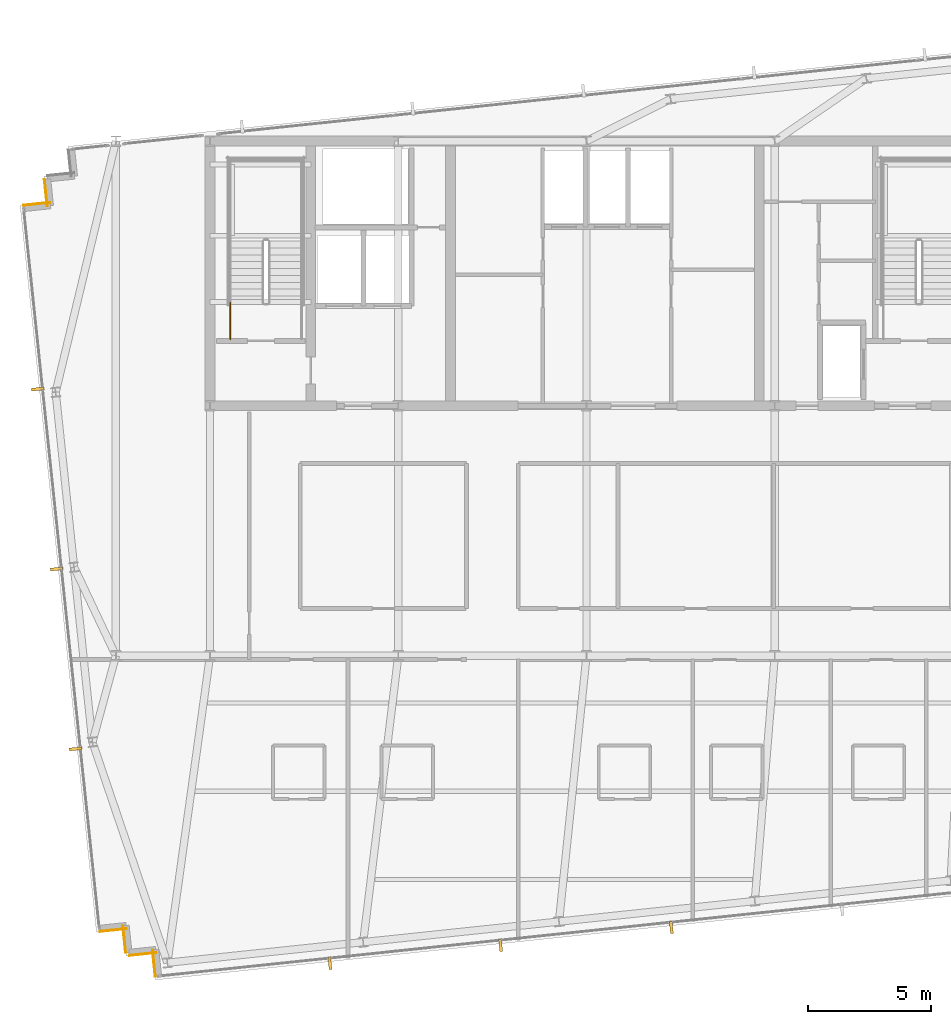
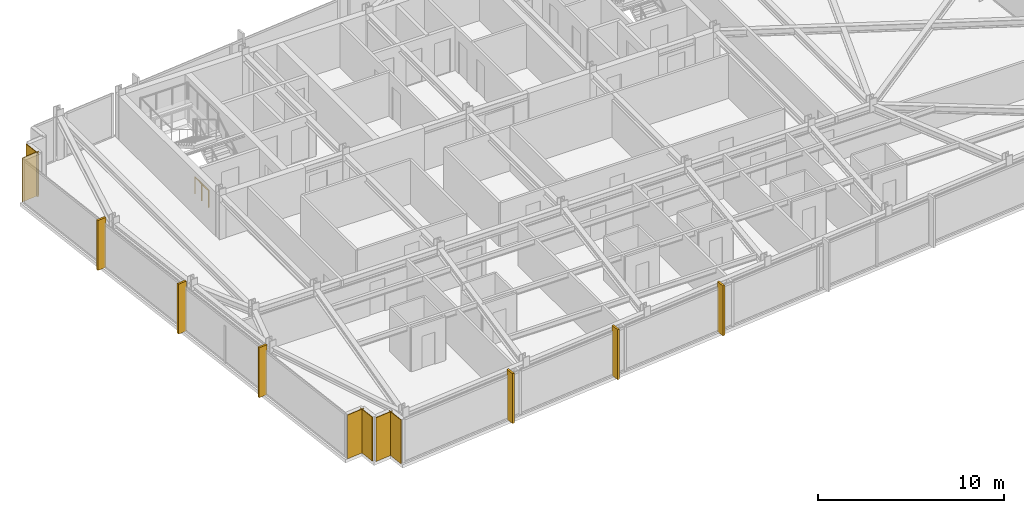
# One storey, part 30 of 33: 6 coverings, 6 shading devices, 1 railing.
"""IFC4 building model written with IfcOpenShell, lengths in metres."""

import ifcopenshell
import ifcopenshell.guid

model = None  # the IFC model being written
_history = None  # IfcOwnerHistory: only IFC2X3 demands one
_inside = {}  # id of a spatial element -> (the spatial element, [elements in it])
_under = {}  # id of a project, library or spatial element -> (it, [spatial elements below it])
_declared = {}  # id of a project -> (the project, [libraries it declares])
_typed = {}  # id of a type object -> (the type object, [elements of that type])
_made_of = {}  # id of a material, layer set ... -> (it, [elements and type objects made of it])


def new_model(schema):
    """Start an empty IFC model of exactly this schema.

    Asked for "IFC4X3", IfcOpenShell would pick the latest addendum, in which some entities
    have other attributes; the version numbers below select the first issue.
    IFC2X3 requires an IfcOwnerHistory on every rooted entity: one is made here for all.
    """
    global model, _history
    if schema == "IFC4X3":
        model = ifcopenshell.file(schema_version=(4, 3, 0, 0))
    else:
        model = ifcopenshell.file(schema=schema)
    _inside.clear()
    _under.clear()
    _declared.clear()
    _typed.clear()
    _made_of.clear()
    _history = None
    if model.schema == "IFC2X3":
        org = make("IfcOrganization", Name="unknown")
        user = make(
            "IfcPersonAndOrganization",
            ThePerson=make("IfcPerson", FamilyName="unknown"),
            TheOrganization=org,
        )
        app = make(
            "IfcApplication",
            ApplicationDeveloper=org,
            Version="unknown",
            ApplicationFullName="unknown",
            ApplicationIdentifier="unknown",
        )
        _history = make(
            "IfcOwnerHistory",
            OwningUser=user,
            OwningApplication=app,
            ChangeAction="ADDED",
            CreationDate=0,
        )
    return model


def make(cls, **values):
    """One entity of the class cls with the attributes given. An attribute that is None is left unset."""
    return model.create_entity(
        cls, **{name: value for name, value in values.items() if value is not None}
    )


def rooted(cls, **values):
    """An entity with a GlobalId (a new one), such as an element, a storey or a relation."""
    return make(cls, GlobalId=ifcopenshell.guid.new(), OwnerHistory=_history, **values)


def si_unit(unit_type, name, prefix=None):
    """IfcSIUnit, for example si_unit("LENGTHUNIT", "METRE", prefix="MILLI")."""
    return make("IfcSIUnit", UnitType=unit_type, Prefix=prefix, Name=name)


def assignment(units):
    """IfcUnitAssignment: the units of a project."""
    return None if units is None else make("IfcUnitAssignment", Units=units)


def point(xyz):
    """IfcCartesianPoint."""
    return None if xyz is None else make("IfcCartesianPoint", Coordinates=xyz)


def direction(xyz):
    """IfcDirection."""
    return None if xyz is None else make("IfcDirection", DirectionRatios=xyz)


def frame(location, z_axis=None, x_axis=None):
    """IfcAxis2Placement3D, a coordinate frame: its origin and axes. An axis left out is left unset."""
    return make(
        "IfcAxis2Placement3D",
        Location=point(location),
        Axis=direction(z_axis),
        RefDirection=direction(x_axis),
    )


def frame_2d(location, x_axis=None):
    """IfcAxis2Placement2D, a coordinate frame in the plane: its origin and x axis."""
    return make(
        "IfcAxis2Placement2D", Location=point(location), RefDirection=direction(x_axis)
    )


def origin():
    """The frame at (0, 0, 0) with its axes left unset."""
    return frame((0.0, 0.0, 0.0))


def origin_2d():
    """The frame at (0, 0) in the plane with its x axis left unset."""
    return frame_2d((0.0, 0.0))


def place(relative_to, where):
    """IfcLocalPlacement: puts the frame where relative to a parent placement (None: the world)."""
    return make(
        "IfcLocalPlacement", PlacementRelTo=relative_to, RelativePlacement=where
    )


def context(
    kind, dimensions, precision=None, world=None, true_north=None, identifier=None
):
    """IfcGeometricRepresentationContext, for example the 3D "Model" context."""
    return make(
        "IfcGeometricRepresentationContext",
        ContextIdentifier=identifier,
        ContextType=kind,
        CoordinateSpaceDimension=dimensions,
        Precision=precision,
        WorldCoordinateSystem=world,
        TrueNorth=true_north,
    )


def subcontext(parent, identifier, kind, view, scale=None):
    """IfcGeometricRepresentationSubContext, for example "Body" below "Model"."""
    return make(
        "IfcGeometricRepresentationSubContext",
        ContextIdentifier=identifier,
        ContextType=kind,
        ParentContext=parent,
        TargetScale=scale,
        TargetView=view,
    )


def project(units=None, contexts=None):
    """IfcProject with its units and contexts."""
    return rooted(
        "IfcProject",
        Name="project",
        RepresentationContexts=contexts,
        UnitsInContext=assignment(units),
    )


def spatial(cls, under=None, at=None, **own):
    """A site, building, storey or space (cls), placed at a placement, below another one or the project."""
    s = rooted(cls, ObjectPlacement=at, **own)
    if under is not None:
        _under.setdefault(under.id(), (under, []))[1].append(s)
    return s


def profile(cls, at=None, kind="AREA", **sizes):
    """A parametric profile (cls). Its sizes go by their IFC names, for example OverallWidth=200.0."""
    return make(cls, ProfileType=kind, Position=at, **sizes)


def rectangle(**sizes):
    """IfcRectangleProfileDef."""
    return profile("IfcRectangleProfileDef", **sizes)


def circle(**sizes):
    """IfcCircleProfileDef."""
    return profile("IfcCircleProfileDef", **sizes)


def extrude(swept, where, along, depth):
    """IfcExtrudedAreaSolid: the profile swept, set in the frame where, extruded along a direction by depth."""
    return make(
        "IfcExtrudedAreaSolid",
        SweptArea=swept,
        Position=where,
        ExtrudedDirection=direction(along),
        Depth=depth,
    )


def shape(context_of_items, identifier, shape_type, items):
    """IfcShapeRepresentation: the items that make up one representation, for example the "Body"."""
    return make(
        "IfcShapeRepresentation",
        ContextOfItems=context_of_items,
        RepresentationIdentifier=identifier,
        RepresentationType=shape_type,
        Items=items,
    )


def material(Name=None, Category=None):
    """IfcMaterial."""
    return make("IfcMaterial", Name=Name, Category=Category)


def layer(
    of_material, thickness, ventilated=None, Name=None, Category=None, Priority=None
):
    """IfcMaterialLayer: one layer of a wall or slab, of a material (None: an air gap)."""
    return make(
        "IfcMaterialLayer",
        Material=of_material,
        LayerThickness=thickness,
        IsVentilated=ventilated,
        Name=Name,
        Category=Category,
        Priority=Priority,
    )


def layer_set(layers, Name=None):
    """IfcMaterialLayerSet."""
    return make("IfcMaterialLayerSet", MaterialLayers=layers, LayerSetName=Name)


def made_of(thing, what):
    """Note that an element or type object is made of a material, layer set ...; save() writes the relation."""
    if what is not None:
        _made_of.setdefault(what.id(), (what, []))[1].append(thing)
    return thing


def type_object(cls, material=None, **own):
    """A type object (cls), such as IfcWallType, which elements share."""
    return made_of(rooted(cls, **own), material)


def element(
    cls,
    number,
    at=None,
    inside=None,
    cuts=None,
    type_object=None,
    material=None,
    context=None,
    identifier="Body",
    shape_type=None,
    held_by="IfcProductDefinitionShape",
    body=None,
    shapes=None,
    **own,
):
    """One element of the class cls, such as IfcWall. Its Tag is "e" and its number.

    at: its placement. inside: the storey or other place that contains it. cuts: it is an
    opening in that element (IfcRelVoidsElement). A single representation is given by context,
    identifier, shape_type and body (its items); several are given by shapes. held_by: the class
    of the entity that holds the representations. save() writes the other relations.
    """
    e = rooted(cls, Tag="e%d" % number, ObjectPlacement=at, **own)
    if body is not None:
        shapes = [shape(context, identifier, shape_type, body)]
    if shapes is not None:
        e.Representation = make(held_by, Representations=shapes)
    if inside is not None:
        _inside.setdefault(inside.id(), (inside, []))[1].append(e)
    if cuts is not None:
        rooted(
            "IfcRelVoidsElement", RelatingBuildingElement=cuts, RelatedOpeningElement=e
        )
    if type_object is not None:
        _typed.setdefault(type_object.id(), (type_object, []))[1].append(e)
    return made_of(e, material)


def aggregate(whole, parts):
    """IfcRelAggregates: a whole, such as a stair, and the parts it consists of."""
    return rooted("IfcRelAggregates", RelatingObject=whole, RelatedObjects=parts)


def save(model, path):
    """Write the relations noted so far, then the file.

    IfcRelAggregates (storeys below a building ...), IfcRelContainedInSpatialStructure (elements
    in a storey), IfcRelDefinesByType, IfcRelAssociatesMaterial and IfcRelDeclares: one each for
    every whole, place, type object, material and project.
    """
    for whole, parts in _under.values():
        aggregate(whole, parts)
    for where, things in _inside.values():
        rooted(
            "IfcRelContainedInSpatialStructure",
            RelatedElements=things,
            RelatingStructure=where,
        )
    for kind, things in _typed.values():
        rooted("IfcRelDefinesByType", RelatedObjects=things, RelatingType=kind)
    for what, things in _made_of.values():
        rooted("IfcRelAssociatesMaterial", RelatedObjects=things, RelatingMaterial=what)
    for by, libraries in _declared.values():
        rooted("IfcRelDeclares", RelatingContext=by, RelatedDefinitions=libraries)
    model.write(path)


model = new_model("IFC4")

# Units and contexts
model_context = context("Model", 3, precision=1e-05, world=origin(), true_north=direction((0.0, 1.0)))
body_context = subcontext(model_context, "Body", "Model", "MODEL_VIEW")
ifc_project = project(units=[si_unit("LENGTHUNIT", "METRE"), si_unit("AREAUNIT", "SQUARE_METRE"), si_unit("VOLUMEUNIT", "CUBIC_METRE"), si_unit("PLANEANGLEUNIT", "RADIAN"), si_unit("MASSUNIT", "GRAM", prefix="KILO")], contexts=[model_context])

# Site, building, storey
site_placement = place(None, origin())
site = spatial("IfcSite", under=ifc_project, at=site_placement, CompositionType="ELEMENT")
building_placement = place(site_placement, origin())
building = spatial("IfcBuilding", under=site, at=building_placement, Name="Yelkora Congress Tower", CompositionType="ELEMENT")
storey_placement = place(building_placement, frame((0.0, 0.0, 244.10009765625)))
storey = spatial("IfcBuildingStorey", under=building, at=storey_placement, Name="L68", CompositionType="ELEMENT", Elevation=244.10009765625)

# Coverings
ifc_material_1 = material(Name="Anatolian bush-hammered limestone", Category="masonry")
ifc_layer_1 = layer(ifc_material_1, 0.0400390625)
ifc_layer_set_1 = layer_set([ifc_layer_1], Name="Anatolian bush-hammered limestone")
covering_type = type_object("IfcCoveringType", Name="COV-CLAD-SPANDREL-40", PredefinedType="CLADDING", material=ifc_layer_set_1)
covering_1_placement = place(storey_placement, frame((20.810302734375, 12.114501953125, 0.0), z_axis=(0.0, 0.0, 1.0), x_axis=(-0.104557671117, 0.994518825066, 0.0)))
element("IfcCovering", 1, at=covering_1_placement, inside=storey, type_object=covering_type, Name="L68 Anatolian Limestone Cladding EW-L68-SR01", PredefinedType="CLADDING", context=body_context, shape_type="SweptSolid", body=[
    extrude(rectangle(XDim=1.099853515625, YDim=0.0400390625, at=frame_2d((0.5498046875, 0.0))), origin(), (0.0, 0.0, 1.0), 2.8798828125),
])
for number, where, z_axis, x_axis, name in (
    (2, (20.84375, 13.088134765625, 0.0), (0.0, 0.0, 1.0), (-0.994521251134, -0.104534592565, 0.0), "L68 Anatolian Limestone Cladding EW-L68-SR02"),
    (3, (19.601318359375, 13.09326171875, 0.0), (0.0, 0.0, 1.0), (-0.104534592565, 0.994521251134, 0.0), "L68 Anatolian Limestone Cladding EW-L68-SR03"),
    (4, (19.634765625, 14.067138671875, 0.0), (0.0, 0.0, 1.0), (-0.994521251134, -0.104534592565, 0.0), "L68 Anatolian Limestone Cladding EW-L68-SR04"),
):
    element("IfcCovering", number, at=place(storey_placement, frame(where, z_axis=z_axis, x_axis=x_axis)), inside=storey, type_object=covering_type, Name=name, PredefinedType="CLADDING", context=body_context, shape_type="SweptSolid", body=[
        extrude(rectangle(XDim=1.10009765625, YDim=0.0400390625, at=frame_2d((0.550048828125, 0.0))), origin(), (0.0, 0.0, 1.0), 2.8798828125),
    ])
covering_2_placement = place(storey_placement, frame((15.427001953125, 43.5791015625, 0.0), z_axis=(0.0, 0.0, 1.0), x_axis=(0.994518825066, 0.104557671117, 0.0)))
element("IfcCovering", 5, at=covering_2_placement, inside=storey, type_object=covering_type, Name="L68 Anatolian Limestone Cladding EW-L68-SR06", PredefinedType="CLADDING", context=body_context, shape_type="SweptSolid", body=[
    extrude(rectangle(XDim=1.099853515625, YDim=0.0400390625, at=frame_2d((0.5498046875, 0.0))), origin(), (0.0, 0.0, 1.0), 2.8798828125),
])
covering_3_placement = place(storey_placement, frame((16.400634765625, 43.545654296875, 0.0), z_axis=(0.0, 0.0, 1.0), x_axis=(-0.104315068386, 0.994544300928, 0.0)))
element("IfcCovering", 6, at=covering_3_placement, inside=storey, type_object=covering_type, Name="L68 Anatolian Limestone Cladding EW-L68-SR07", PredefinedType="CLADDING", context=body_context, shape_type="SweptSolid", body=[
    extrude(rectangle(XDim=1.10009765625, YDim=0.0400390625, at=frame_2d((0.550048828125, 0.0))), origin(), (0.0, 0.0, 1.0), 2.8798828125),
])

# Railing
ifc_material_2 = material(Name="Painted galvanised steel stair well guard with vertical infill", Category="steel")
ifc_layer_2 = layer(ifc_material_2, 0.06005859375)
ifc_layer_set_2 = layer_set([ifc_layer_2], Name="Painted galvanised steel stair well guard with vertical infill")
railing_type = type_object("IfcRailingType", Name="RAIL-STAIR-GUARD-1120", PredefinedType="GUARDRAIL", material=ifc_layer_set_2)
railing_placement = place(storey_placement, frame((23.8701171875, 38.1201171875, 0.0)))
element("IfcRailing", 7, at=railing_placement, inside=storey, type_object=railing_type, Name="ST-01 L68 Stair Well Guardrail 9", PredefinedType="GUARDRAIL", context=body_context, shape_type="SweptSolid", body=[
    extrude(circle(Radius=0.02392578125, at=origin_2d()), frame((0.0, 0.0, 1.09619140625), z_axis=(0.0, 1.0, 0.0), x_axis=(-1.0, 0.0, 0.0)), (0.0, 0.0, 1.0), 1.47998046875),
    extrude(circle(Radius=0.02099609375, at=origin_2d()), origin(), (0.0, 0.0, 1.0), 1.072021484375),
    extrude(circle(Radius=0.02099609375, at=origin_2d()), frame((0.0, 0.739990234375, 0.0)), (0.0, 0.0, 1.0), 1.072021484375),
    extrude(circle(Radius=0.02099609375, at=origin_2d()), frame((0.0, 1.47998046875, 0.0)), (0.0, 0.0, 1.0), 1.072021484375),
])

# Shading devices
ifc_material_3 = material(Name="Champagne anodised aluminium", Category="aluminium")
ifc_layer_3 = layer(ifc_material_3, 3.300048828125)
ifc_layer_set_3 = layer_set([ifc_layer_3], Name="Champagne anodised aluminium")
shading_device_type = type_object("IfcShadingDeviceType", Name="SHD-FIN-ALU-520", PredefinedType="USERDEFINED", material=ifc_layer_set_3)
for number, where, z_axis, x_axis, name in (
    (8, (17.556396484375, 21.405029296875, -0.0302734375), (0.0, 0.0, 1.0), (-0.104528463268, 0.994521895368, 0.0), "L68 Vertical Anodised Solar Fin 5-1"),
    (9, (16.784912109375, 28.74462890625, -0.0302734375), (0.0, 0.0, 1.0), (-0.104528463268, 0.994521895368, 0.0), "L68 Vertical Anodised Solar Fin 5-2"),
    (10, (16.013671875, 36.084228515625, -0.0302734375), (0.0, 0.0, 1.0), (-0.104528463268, 0.994521895368, 0.0), "L68 Vertical Anodised Solar Fin 5-3"),
    (11, (41.85888671875, 14.12548828125, -0.0302734375), (0.0, 0.0, 1.0), (-0.994521895368, -0.104528463268, 0.0), "L68 Vertical Anodised Solar Fin 20-4"),
    (12, (34.89453125, 13.3935546875, -0.0302734375), (0.0, 0.0, 1.0), (-0.994521895368, -0.104528463268, 0.0), "L68 Vertical Anodised Solar Fin 20-5"),
    (13, (27.929931640625, 12.66162109375, -0.0302734375), (0.0, 0.0, 1.0), (-0.994521895368, -0.104528463268, 0.0), "L68 Vertical Anodised Solar Fin 20-6"),
):
    element("IfcShadingDevice", number, at=place(storey_placement, frame(where, z_axis=z_axis, x_axis=x_axis)), inside=storey, type_object=shading_device_type, Name=name, ObjectType="FIN", PredefinedType="USERDEFINED", context=body_context, shape_type="SweptSolid", body=[
        extrude(rectangle(XDim=0.1201171875, YDim=0.52001953125, at=origin_2d()), origin(), (0.0, 0.0, 1.0), 3.280029296875),
    ])

save(model, "model.ifc")
